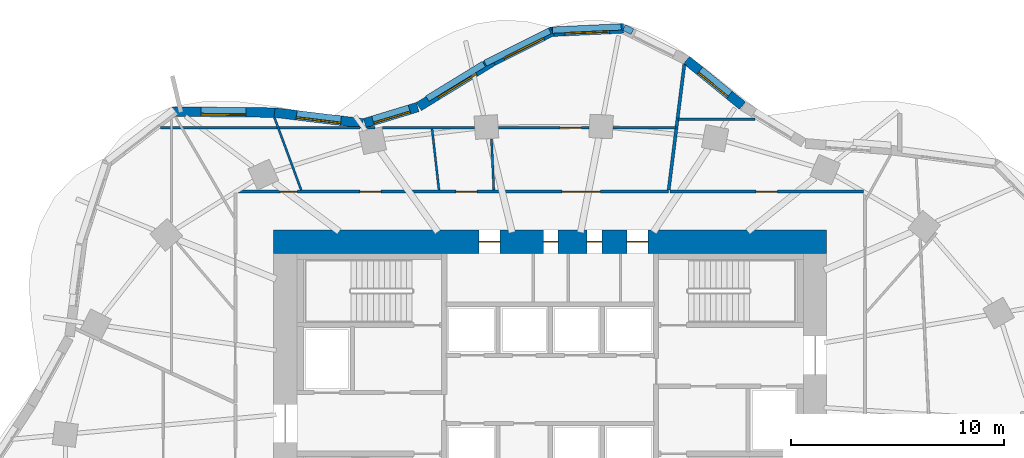
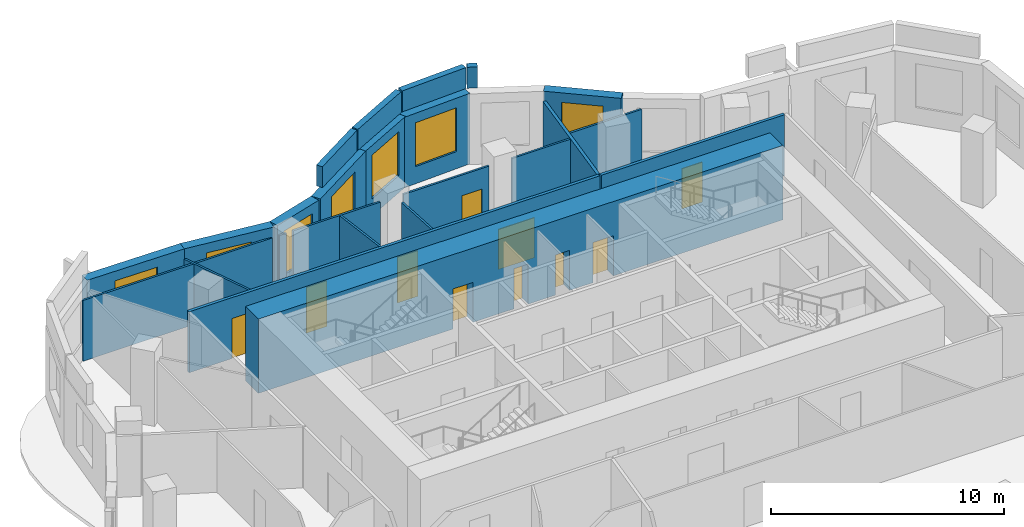
# One storey, part 7 of 9: 24 walls, 10 doors, 7 windows, 17 openings.
"""IFC4 building model written with IfcOpenShell, lengths in metres."""

import ifcopenshell
import ifcopenshell.guid

model = None  # the IFC model being written
_history = None  # IfcOwnerHistory: only IFC2X3 demands one
_inside = {}  # id of a spatial element -> (the spatial element, [elements in it])
_under = {}  # id of a project, library or spatial element -> (it, [spatial elements below it])
_declared = {}  # id of a project -> (the project, [libraries it declares])
_typed = {}  # id of a type object -> (the type object, [elements of that type])
_made_of = {}  # id of a material, layer set ... -> (it, [elements and type objects made of it])


def new_model(schema):
    """Start an empty IFC model of exactly this schema.

    Asked for "IFC4X3", IfcOpenShell would pick the latest addendum, in which some entities
    have other attributes; the version numbers below select the first issue.
    IFC2X3 requires an IfcOwnerHistory on every rooted entity: one is made here for all.
    """
    global model, _history
    if schema == "IFC4X3":
        model = ifcopenshell.file(schema_version=(4, 3, 0, 0))
    else:
        model = ifcopenshell.file(schema=schema)
    _inside.clear()
    _under.clear()
    _declared.clear()
    _typed.clear()
    _made_of.clear()
    _history = None
    if model.schema == "IFC2X3":
        org = make("IfcOrganization", Name="unknown")
        user = make(
            "IfcPersonAndOrganization",
            ThePerson=make("IfcPerson", FamilyName="unknown"),
            TheOrganization=org,
        )
        app = make(
            "IfcApplication",
            ApplicationDeveloper=org,
            Version="unknown",
            ApplicationFullName="unknown",
            ApplicationIdentifier="unknown",
        )
        _history = make(
            "IfcOwnerHistory",
            OwningUser=user,
            OwningApplication=app,
            ChangeAction="ADDED",
            CreationDate=0,
        )
    return model


def make(cls, **values):
    """One entity of the class cls with the attributes given. An attribute that is None is left unset."""
    return model.create_entity(
        cls, **{name: value for name, value in values.items() if value is not None}
    )


def rooted(cls, **values):
    """An entity with a GlobalId (a new one), such as an element, a storey or a relation."""
    return make(cls, GlobalId=ifcopenshell.guid.new(), OwnerHistory=_history, **values)


def si_unit(unit_type, name, prefix=None):
    """IfcSIUnit, for example si_unit("LENGTHUNIT", "METRE", prefix="MILLI")."""
    return make("IfcSIUnit", UnitType=unit_type, Prefix=prefix, Name=name)


def assignment(units):
    """IfcUnitAssignment: the units of a project."""
    return None if units is None else make("IfcUnitAssignment", Units=units)


def point(xyz):
    """IfcCartesianPoint."""
    return None if xyz is None else make("IfcCartesianPoint", Coordinates=xyz)


def direction(xyz):
    """IfcDirection."""
    return None if xyz is None else make("IfcDirection", DirectionRatios=xyz)


def frame(location, z_axis=None, x_axis=None):
    """IfcAxis2Placement3D, a coordinate frame: its origin and axes. An axis left out is left unset."""
    return make(
        "IfcAxis2Placement3D",
        Location=point(location),
        Axis=direction(z_axis),
        RefDirection=direction(x_axis),
    )


def frame_2d(location, x_axis=None):
    """IfcAxis2Placement2D, a coordinate frame in the plane: its origin and x axis."""
    return make(
        "IfcAxis2Placement2D", Location=point(location), RefDirection=direction(x_axis)
    )


def origin():
    """The frame at (0, 0, 0) with its axes left unset."""
    return frame((0.0, 0.0, 0.0))


def place(relative_to, where):
    """IfcLocalPlacement: puts the frame where relative to a parent placement (None: the world)."""
    return make(
        "IfcLocalPlacement", PlacementRelTo=relative_to, RelativePlacement=where
    )


def context(
    kind, dimensions, precision=None, world=None, true_north=None, identifier=None
):
    """IfcGeometricRepresentationContext, for example the 3D "Model" context."""
    return make(
        "IfcGeometricRepresentationContext",
        ContextIdentifier=identifier,
        ContextType=kind,
        CoordinateSpaceDimension=dimensions,
        Precision=precision,
        WorldCoordinateSystem=world,
        TrueNorth=true_north,
    )


def subcontext(parent, identifier, kind, view, scale=None):
    """IfcGeometricRepresentationSubContext, for example "Body" below "Model"."""
    return make(
        "IfcGeometricRepresentationSubContext",
        ContextIdentifier=identifier,
        ContextType=kind,
        ParentContext=parent,
        TargetScale=scale,
        TargetView=view,
    )


def project(units=None, contexts=None):
    """IfcProject with its units and contexts."""
    return rooted(
        "IfcProject",
        Name="project",
        RepresentationContexts=contexts,
        UnitsInContext=assignment(units),
    )


def spatial(cls, under=None, at=None, **own):
    """A site, building, storey or space (cls), placed at a placement, below another one or the project."""
    s = rooted(cls, ObjectPlacement=at, **own)
    if under is not None:
        _under.setdefault(under.id(), (under, []))[1].append(s)
    return s


def profile(cls, at=None, kind="AREA", **sizes):
    """A parametric profile (cls). Its sizes go by their IFC names, for example OverallWidth=200.0."""
    return make(cls, ProfileType=kind, Position=at, **sizes)


def rectangle(**sizes):
    """IfcRectangleProfileDef."""
    return profile("IfcRectangleProfileDef", **sizes)


def extrude(swept, where, along, depth):
    """IfcExtrudedAreaSolid: the profile swept, set in the frame where, extruded along a direction by depth."""
    return make(
        "IfcExtrudedAreaSolid",
        SweptArea=swept,
        Position=where,
        ExtrudedDirection=direction(along),
        Depth=depth,
    )


def shape(context_of_items, identifier, shape_type, items):
    """IfcShapeRepresentation: the items that make up one representation, for example the "Body"."""
    return make(
        "IfcShapeRepresentation",
        ContextOfItems=context_of_items,
        RepresentationIdentifier=identifier,
        RepresentationType=shape_type,
        Items=items,
    )


def material(Name=None, Category=None):
    """IfcMaterial."""
    return make("IfcMaterial", Name=Name, Category=Category)


def layer(
    of_material, thickness, ventilated=None, Name=None, Category=None, Priority=None
):
    """IfcMaterialLayer: one layer of a wall or slab, of a material (None: an air gap)."""
    return make(
        "IfcMaterialLayer",
        Material=of_material,
        LayerThickness=thickness,
        IsVentilated=ventilated,
        Name=Name,
        Category=Category,
        Priority=Priority,
    )


def layer_set(layers, Name=None):
    """IfcMaterialLayerSet."""
    return make("IfcMaterialLayerSet", MaterialLayers=layers, LayerSetName=Name)


def made_of(thing, what):
    """Note that an element or type object is made of a material, layer set ...; save() writes the relation."""
    if what is not None:
        _made_of.setdefault(what.id(), (what, []))[1].append(thing)
    return thing


def type_object(cls, material=None, **own):
    """A type object (cls), such as IfcWallType, which elements share."""
    return made_of(rooted(cls, **own), material)


def element(
    cls,
    number,
    at=None,
    inside=None,
    cuts=None,
    type_object=None,
    material=None,
    context=None,
    identifier="Body",
    shape_type=None,
    held_by="IfcProductDefinitionShape",
    body=None,
    shapes=None,
    **own,
):
    """One element of the class cls, such as IfcWall. Its Tag is "e" and its number.

    at: its placement. inside: the storey or other place that contains it. cuts: it is an
    opening in that element (IfcRelVoidsElement). A single representation is given by context,
    identifier, shape_type and body (its items); several are given by shapes. held_by: the class
    of the entity that holds the representations. save() writes the other relations.
    """
    e = rooted(cls, Tag="e%d" % number, ObjectPlacement=at, **own)
    if body is not None:
        shapes = [shape(context, identifier, shape_type, body)]
    if shapes is not None:
        e.Representation = make(held_by, Representations=shapes)
    if inside is not None:
        _inside.setdefault(inside.id(), (inside, []))[1].append(e)
    if cuts is not None:
        rooted(
            "IfcRelVoidsElement", RelatingBuildingElement=cuts, RelatedOpeningElement=e
        )
    if type_object is not None:
        _typed.setdefault(type_object.id(), (type_object, []))[1].append(e)
    return made_of(e, material)


def fill(opening, filler):
    """IfcRelFillsElement: the door or window that sits in an opening."""
    return rooted(
        "IfcRelFillsElement",
        RelatingOpeningElement=opening,
        RelatedBuildingElement=filler,
    )


def aggregate(whole, parts):
    """IfcRelAggregates: a whole, such as a stair, and the parts it consists of."""
    return rooted("IfcRelAggregates", RelatingObject=whole, RelatedObjects=parts)


def save(model, path):
    """Write the relations noted so far, then the file.

    IfcRelAggregates (storeys below a building ...), IfcRelContainedInSpatialStructure (elements
    in a storey), IfcRelDefinesByType, IfcRelAssociatesMaterial and IfcRelDeclares: one each for
    every whole, place, type object, material and project.
    """
    for whole, parts in _under.values():
        aggregate(whole, parts)
    for where, things in _inside.values():
        rooted(
            "IfcRelContainedInSpatialStructure",
            RelatedElements=things,
            RelatingStructure=where,
        )
    for kind, things in _typed.values():
        rooted("IfcRelDefinesByType", RelatedObjects=things, RelatingType=kind)
    for what, things in _made_of.values():
        rooted("IfcRelAssociatesMaterial", RelatedObjects=things, RelatingMaterial=what)
    for by, libraries in _declared.values():
        rooted("IfcRelDeclares", RelatingContext=by, RelatedDefinitions=libraries)
    model.write(path)


model = new_model("IFC4")

# Units and contexts
model_context = context("Model", 3, precision=1e-05, world=origin(), true_north=direction((0.0, 1.0)))
body_context = subcontext(model_context, "Body", "Model", "MODEL_VIEW")
ifc_project = project(units=[si_unit("LENGTHUNIT", "METRE"), si_unit("AREAUNIT", "SQUARE_METRE"), si_unit("VOLUMEUNIT", "CUBIC_METRE"), si_unit("PLANEANGLEUNIT", "RADIAN"), si_unit("MASSUNIT", "GRAM", prefix="KILO")], contexts=[model_context])

# Site, building, storey
site_placement = place(None, origin())
site = spatial("IfcSite", under=ifc_project, at=site_placement, CompositionType="ELEMENT")
building_placement = place(site_placement, origin())
building = spatial("IfcBuilding", under=site, at=building_placement, Name="Rubra Terraces Tower", CompositionType="ELEMENT")
storey_placement = place(building_placement, frame((0.0, 0.0, 130.5)))
storey = spatial("IfcBuildingStorey", under=building, at=storey_placement, Name="L31", CompositionType="ELEMENT", Elevation=130.5)

# Wall, opening, window
ifc_material_1 = material(Name="Brick masonry red-brown", Category="masonry")
ifc_layer_1 = layer(ifc_material_1, 0.449951171875)
ifc_layer_set_1 = layer_set([ifc_layer_1], Name="Brick masonry red-brown")
wall_type_1 = type_object("IfcWallType", Name="Brick facade wall 450", PredefinedType="SOLIDWALL", material=ifc_layer_set_1)
wall_1_placement = place(storey_placement, frame((9.037109375, 17.84033203125, 0.0), z_axis=(0.0, 0.0, 1.0), x_axis=(-0.774810240287, 0.632193871804, 0.0)))
wall_1 = element("IfcWall", 1, at=wall_1_placement, inside=storey, type_object=wall_type_1, Name="Facade wall L31 bay 8", PredefinedType="SOLIDWALL", context=body_context, shape_type="SweptSolid", body=[
    extrude(rectangle(XDim=3.389404296875, YDim=0.449951171875, at=frame_2d((1.69482421875, 0.0))), origin(), (0.0, 0.0, 1.0), 3.699951171875),
])
opening_1_placement = place(wall_1_placement, frame((0.794677734375, 0.0, 0.89990234375)))
opening_1 = element("IfcOpeningElement", 2, at=opening_1_placement, cuts=wall_1, Name="Opening W6B", PredefinedType="OPENING", context=body_context, shape_type="SweptSolid", body=[
    extrude(rectangle(XDim=1.800048828125, YDim=2.300048828125, at=frame_2d((0.89990234375, 1.14990234375))), frame((0.0, 0.23486328125, 0.0), z_axis=(0.0, -1.0, 0.0), x_axis=(1.0, 0.0, 0.0)), (0.0, 0.0, 1.0), 0.469970703125),
])
ifc_material_2 = material(Name="Clear glass in aluminium frame", Category="aluminium")
window_type_1 = type_object("IfcWindowType", Name="Fixed deep-set window at wind fin tall storey 1800 x 2300", PartitioningType="SINGLE_PANEL", PredefinedType="WINDOW", material=ifc_material_2)
window_1_placement = place(opening_1_placement, origin())
window_1 = element("IfcWindow", 3, at=window_1_placement, inside=storey, type_object=window_type_1, Name="Window L31 bay 8", OverallHeight=2.300048828125, OverallWidth=1.800048828125, PartitioningType="SINGLE_PANEL", PredefinedType="WINDOW", context=body_context, shape_type="SweptSolid", body=[
    extrude(rectangle(XDim=1.800048828125, YDim=2.300048828125, at=frame_2d((0.89990234375, 1.14990234375))), frame((0.0, 0.135009765625, 0.0), z_axis=(0.0, -1.0, 0.0), x_axis=(1.0, 0.0, 0.0)), (0.0, 0.0, 1.0), 0.06005859375),
])
fill(opening_1, window_1)

wall_2_placement = place(storey_placement, frame((3.447509765625, 21.47314453125, 0.0), z_axis=(0.0, 0.0, 1.0), x_axis=(-0.998906179907, -0.046759424106, 0.0)))
wall_2 = element("IfcWall", 4, at=wall_2_placement, inside=storey, type_object=wall_type_1, Name="Facade wall L31 bay 10", PredefinedType="SOLIDWALL", context=body_context, shape_type="SweptSolid", body=[
    extrude(rectangle(XDim=3.440673828125, YDim=0.449951171875, at=frame_2d((1.72021484375, 0.0))), origin(), (0.0, 0.0, 1.0), 3.699951171875),
])
opening_2_placement = place(wall_2_placement, frame((0.67041015625, 0.0, 0.89990234375)))
opening_2 = element("IfcOpeningElement", 5, at=opening_2_placement, cuts=wall_2, Name="Opening W1B", PredefinedType="OPENING", context=body_context, shape_type="SweptSolid", body=[
    extrude(rectangle(XDim=2.10009765625, YDim=2.300048828125, at=frame_2d((1.050048828125, 1.14990234375))), frame((0.0, 0.23486328125, 0.0), z_axis=(0.0, -1.0, 0.0), x_axis=(1.0, 0.0, 0.0)), (0.0, 0.0, 1.0), 0.469970703125),
])
window_type_2 = type_object("IfcWindowType", Name="Fixed deep-set window tall storey 2100 x 2300", PartitioningType="SINGLE_PANEL", PredefinedType="WINDOW", material=ifc_material_2)
window_2_placement = place(opening_2_placement, origin())
window_2 = element("IfcWindow", 6, at=window_2_placement, inside=storey, type_object=window_type_2, Name="Window L31 bay 10", OverallHeight=2.300048828125, OverallWidth=2.10009765625, PartitioningType="SINGLE_PANEL", PredefinedType="WINDOW", context=body_context, shape_type="SweptSolid", body=[
    extrude(rectangle(XDim=2.10009765625, YDim=2.300048828125, at=frame_2d((1.050048828125, 1.14990234375))), frame((0.0, 0.135009765625, 0.0), z_axis=(0.0, -1.0, 0.0), x_axis=(1.0, 0.0, 0.0)), (0.0, 0.0, 1.0), 0.06005859375),
])
fill(opening_2, window_2)

wall_3_placement = place(storey_placement, frame((0.10107421875, 21.3359375, 0.0), z_axis=(0.0, 0.0, 1.0), x_axis=(-0.893517109669, -0.449029146859, 0.0)))
wall_3 = element("IfcWall", 7, at=wall_3_placement, inside=storey, type_object=wall_type_1, Name="Facade wall L31 bay 11", PredefinedType="SOLIDWALL", context=body_context, shape_type="SweptSolid", body=[
    extrude(rectangle(XDim=3.1181640625, YDim=0.449951171875, at=frame_2d((1.55908203125, 0.0))), origin(), (0.0, 0.0, 1.0), 3.699951171875),
])
opening_3_placement = place(wall_3_placement, frame((0.509033203125, 0.0, 0.89990234375)))
opening_3 = element("IfcOpeningElement", 8, at=opening_3_placement, cuts=wall_3, Name="Opening W1B", PredefinedType="OPENING", context=body_context, shape_type="SweptSolid", body=[
    extrude(rectangle(XDim=2.10009765625, YDim=2.300048828125, at=frame_2d((1.050048828125, 1.14990234375))), frame((0.0, 0.23486328125, 0.0), z_axis=(0.0, -1.0, 0.0), x_axis=(1.0, 0.0, 0.0)), (0.0, 0.0, 1.0), 0.469970703125),
])
window_3_placement = place(opening_3_placement, origin())
window_3 = element("IfcWindow", 9, at=window_3_placement, inside=storey, type_object=window_type_2, Name="Window L31 bay 11", OverallHeight=2.300048828125, OverallWidth=2.10009765625, PartitioningType="SINGLE_PANEL", PredefinedType="WINDOW", context=body_context, shape_type="SweptSolid", body=[
    extrude(rectangle(XDim=2.10009765625, YDim=2.300048828125, at=frame_2d((1.050048828125, 1.14990234375))), frame((0.0, 0.135009765625, 0.0), z_axis=(0.0, -1.0, 0.0), x_axis=(1.0, 0.0, 0.0)), (0.0, 0.0, 1.0), 0.06005859375),
])
fill(opening_3, window_3)

wall_4_placement = place(storey_placement, frame((-2.668701171875, 19.945068359375, 0.0), z_axis=(0.0, 0.0, 1.0), x_axis=(-0.852919259017, -0.522042850346, 0.0)))
wall_4 = element("IfcWall", 10, at=wall_4_placement, inside=storey, type_object=wall_type_1, Name="Facade wall L31 bay 12", PredefinedType="SOLIDWALL", context=body_context, shape_type="SweptSolid", body=[
    extrude(rectangle(XDim=4.113525390625, YDim=0.449951171875, at=frame_2d((2.056640625, 0.0))), origin(), (0.0, 0.0, 1.0), 3.699951171875),
])
opening_4_placement = place(wall_4_placement, frame((1.0068359375, 0.0, 0.89990234375)))
opening_4 = element("IfcOpeningElement", 11, at=opening_4_placement, cuts=wall_4, Name="Opening W1B", PredefinedType="OPENING", context=body_context, shape_type="SweptSolid", body=[
    extrude(rectangle(XDim=2.10009765625, YDim=2.300048828125, at=frame_2d((1.050048828125, 1.14990234375))), frame((0.0, 0.23486328125, 0.0), z_axis=(0.0, -1.0, 0.0), x_axis=(1.0, 0.0, 0.0)), (0.0, 0.0, 1.0), 0.469970703125),
])
window_4_placement = place(opening_4_placement, origin())
window_4 = element("IfcWindow", 12, at=window_4_placement, inside=storey, type_object=window_type_2, Name="Window L31 bay 12", OverallHeight=2.300048828125, OverallWidth=2.10009765625, PartitioningType="SINGLE_PANEL", PredefinedType="WINDOW", context=body_context, shape_type="SweptSolid", body=[
    extrude(rectangle(XDim=2.10009765625, YDim=2.300048828125, at=frame_2d((1.050048828125, 1.14990234375))), frame((0.0, 0.135009765625, 0.0), z_axis=(0.0, -1.0, 0.0), x_axis=(1.0, 0.0, 0.0)), (0.0, 0.0, 1.0), 0.06005859375),
])
fill(opening_4, window_4)

wall_5_placement = place(storey_placement, frame((-6.229248046875, 17.774169921875, 0.0), z_axis=(0.0, 0.0, 1.0), x_axis=(-0.95663749396, -0.291281144515, 0.0)))
wall_5 = element("IfcWall", 13, at=wall_5_placement, inside=storey, type_object=wall_type_1, Name="Facade wall L31 bay 13", PredefinedType="SOLIDWALL", context=body_context, shape_type="SweptSolid", body=[
    extrude(rectangle(XDim=2.600830078125, YDim=0.449951171875, at=frame_2d((1.30029296875, 0.0))), origin(), (0.0, 0.0, 1.0), 3.699951171875),
])
opening_5_placement = place(wall_5_placement, frame((0.400390625, 0.0, 0.89990234375)))
opening_5 = element("IfcOpeningElement", 14, at=opening_5_placement, cuts=wall_5, Name="Opening W6B", PredefinedType="OPENING", context=body_context, shape_type="SweptSolid", body=[
    extrude(rectangle(XDim=1.800048828125, YDim=2.300048828125, at=frame_2d((0.89990234375, 1.14990234375))), frame((0.0, 0.23486328125, 0.0), z_axis=(0.0, -1.0, 0.0), x_axis=(1.0, 0.0, 0.0)), (0.0, 0.0, 1.0), 0.469970703125),
])
window_5_placement = place(opening_5_placement, origin())
window_5 = element("IfcWindow", 15, at=window_5_placement, inside=storey, type_object=window_type_1, Name="Window L31 bay 13", OverallHeight=2.300048828125, OverallWidth=1.800048828125, PartitioningType="SINGLE_PANEL", PredefinedType="WINDOW", context=body_context, shape_type="SweptSolid", body=[
    extrude(rectangle(XDim=1.800048828125, YDim=2.300048828125, at=frame_2d((0.89990234375, 1.14990234375))), frame((0.0, 0.135009765625, 0.0), z_axis=(0.0, -1.0, 0.0), x_axis=(1.0, 0.0, 0.0)), (0.0, 0.0, 1.0), 0.06005859375),
])
fill(opening_5, window_5)

wall_6_placement = place(storey_placement, frame((-8.806884765625, 17.00830078125, 0.0), z_axis=(0.0, 0.0, 1.0), x_axis=(-0.992654419289, 0.120984312483, 0.0)))
wall_6 = element("IfcWall", 16, at=wall_6_placement, inside=storey, type_object=wall_type_1, Name="Facade wall L31 bay 14", PredefinedType="SOLIDWALL", context=body_context, shape_type="SweptSolid", body=[
    extrude(rectangle(XDim=4.187255859375, YDim=0.449951171875, at=frame_2d((2.09375, 0.0))), origin(), (0.0, 0.0, 1.0), 3.699951171875),
])
opening_6_placement = place(wall_6_placement, frame((1.043701171875, 0.0, 0.89990234375)))
opening_6 = element("IfcOpeningElement", 17, at=opening_6_placement, cuts=wall_6, Name="Opening W1B", PredefinedType="OPENING", context=body_context, shape_type="SweptSolid", body=[
    extrude(rectangle(XDim=2.10009765625, YDim=2.300048828125, at=frame_2d((1.050048828125, 1.14990234375))), frame((0.0, 0.23486328125, 0.0), z_axis=(0.0, -1.0, 0.0), x_axis=(1.0, 0.0, 0.0)), (0.0, 0.0, 1.0), 0.469970703125),
])
window_6_placement = place(opening_6_placement, origin())
window_6 = element("IfcWindow", 18, at=window_6_placement, inside=storey, type_object=window_type_2, Name="Window L31 bay 14", OverallHeight=2.300048828125, OverallWidth=2.10009765625, PartitioningType="SINGLE_PANEL", PredefinedType="WINDOW", context=body_context, shape_type="SweptSolid", body=[
    extrude(rectangle(XDim=2.10009765625, YDim=2.300048828125, at=frame_2d((1.050048828125, 1.14990234375))), frame((0.0, 0.135009765625, 0.0), z_axis=(0.0, -1.0, 0.0), x_axis=(1.0, 0.0, 0.0)), (0.0, 0.0, 1.0), 0.06005859375),
])
fill(opening_6, window_6)

wall_7_placement = place(storey_placement, frame((-12.93896484375, 17.513671875, 0.0), z_axis=(0.0, 0.0, 1.0), x_axis=(-0.999950280333, 0.00997180335, 0.0)))
wall_7 = element("IfcWall", 19, at=wall_7_placement, inside=storey, type_object=wall_type_1, Name="Facade wall L31 bay 15", PredefinedType="SOLIDWALL", context=body_context, shape_type="SweptSolid", body=[
    extrude(rectangle(XDim=4.84765625, YDim=0.449951171875, at=frame_2d((2.423828125, 0.0))), origin(), (0.0, 0.0, 1.0), 3.699951171875),
])
opening_7_placement = place(wall_7_placement, frame((1.373779296875, 0.0, 0.89990234375)))
opening_7 = element("IfcOpeningElement", 20, at=opening_7_placement, cuts=wall_7, Name="Opening W1B", PredefinedType="OPENING", context=body_context, shape_type="SweptSolid", body=[
    extrude(rectangle(XDim=2.10009765625, YDim=2.300048828125, at=frame_2d((1.050048828125, 1.14990234375))), frame((0.0, 0.23486328125, 0.0), z_axis=(0.0, -1.0, 0.0), x_axis=(1.0, 0.0, 0.0)), (0.0, 0.0, 1.0), 0.469970703125),
])
window_7_placement = place(opening_7_placement, origin())
window_7 = element("IfcWindow", 21, at=window_7_placement, inside=storey, type_object=window_type_2, Name="Window L31 bay 15", OverallHeight=2.300048828125, OverallWidth=2.10009765625, PartitioningType="SINGLE_PANEL", PredefinedType="WINDOW", context=body_context, shape_type="SweptSolid", body=[
    extrude(rectangle(XDim=2.10009765625, YDim=2.300048828125, at=frame_2d((1.050048828125, 1.14990234375))), frame((0.0, 0.135009765625, 0.0), z_axis=(0.0, -1.0, 0.0), x_axis=(1.0, 0.0, 0.0)), (0.0, 0.0, 1.0), 0.06005859375),
])
fill(opening_7, window_7)

# Walls
ifc_layer_2 = layer(ifc_material_1, 0.300048828125)
ifc_layer_set_2 = layer_set([ifc_layer_2], Name="Brick masonry red-brown")
wall_type_2 = type_object("IfcWallType", Name="Brick parapet 300", PredefinedType="PARAPET", material=ifc_layer_set_2)
wall_8_placement = place(storey_placement, frame((3.864501953125, 21.319580078125, 3.89990234375), z_axis=(0.0, 0.0, 1.0), x_axis=(-0.896619334778, 0.442802177617, 0.0)))
element("IfcWall", 22, at=wall_8_placement, inside=storey, type_object=wall_type_2, Name="Parapet L31 bay 9", PredefinedType="PARAPET", context=body_context, shape_type="SweptSolid", body=[
    extrude(rectangle(XDim=0.443359375, YDim=0.300048828125, at=frame_2d((0.2216796875, 0.0))), origin(), (0.0, 0.0, 1.0), 1.10009765625),
])
wall_9_placement = place(storey_placement, frame((3.336669921875, 21.543212890625, 3.89990234375), z_axis=(0.0, 0.0, 1.0), x_axis=(-0.998904330634, -0.046798912812, 0.0)))
element("IfcWall", 23, at=wall_9_placement, inside=storey, type_object=wall_type_2, Name="Parapet L31 bay 10", PredefinedType="PARAPET", context=body_context, shape_type="SweptSolid", body=[
    extrude(rectangle(XDim=3.23974609375, YDim=0.300048828125, at=frame_2d((1.619873046875, 0.0))), origin(), (0.0, 0.0, 1.0), 1.10009765625),
])
wall_10_placement = place(storey_placement, frame((-0.016357421875, 21.36083984375, 3.89990234375), z_axis=(0.0, 0.0, 1.0), x_axis=(-0.893520711687, -0.44902197918, 0.0)))
element("IfcWall", 24, at=wall_10_placement, inside=storey, type_object=wall_type_2, Name="Parapet L31 bay 11", PredefinedType="PARAPET", context=body_context, shape_type="SweptSolid", body=[
    extrude(rectangle(XDim=3.400390625, YDim=0.300048828125, at=frame_2d((1.7001953125, 0.0))), origin(), (0.0, 0.0, 1.0), 1.10009765625),
])
wall_11_placement = place(storey_placement, frame((-3.117919921875, 19.798828125, 3.89990234375), z_axis=(0.0, 0.0, 1.0), x_axis=(-0.852922319554, -0.522037849975, 0.0)))
element("IfcWall", 25, at=wall_11_placement, inside=storey, type_object=wall_type_2, Name="Parapet L31 bay 12", PredefinedType="PARAPET", context=body_context, shape_type="SweptSolid", body=[
    extrude(rectangle(XDim=3.1240234375, YDim=0.300048828125, at=frame_2d((1.56201171875, 0.0))), origin(), (0.0, 0.0, 1.0), 1.10009765625),
])

# Wall, openings, doors
ifc_material_3 = material(Name="Concrete C60", Category="concrete")
ifc_layer_3 = layer(ifc_material_3, 1.10009765625)
ifc_layer_set_3 = layer_set([ifc_layer_3], Name="Concrete C60")
wall_type_3 = type_object("IfcWallType", Name="CORE WALL 1100 C60", PredefinedType="SHEAR", material=ifc_layer_set_3)
wall_12_placement = place(storey_placement, frame((-13.0, 11.449951171875, 0.0), z_axis=(0.0, 0.0, 1.0), x_axis=(1.0, 0.0, 0.0)))
wall_12 = element("IfcWall", 26, at=wall_12_placement, inside=storey, type_object=wall_type_3, Name="CORE WALL N L31", PredefinedType="SHEAR", context=body_context, shape_type="SweptSolid", body=[
    extrude(rectangle(XDim=26.0, YDim=1.10009765625, at=frame_2d((13.0, 0.0))), origin(), (0.0, 0.0, 1.0), 3.89990234375),
])
opening_8_placement = place(wall_12_placement, frame((9.64990234375, 0.0, 0.0)))
opening_8 = element("IfcOpeningElement", 27, at=opening_8_placement, cuts=wall_12, Name="Opening L31.C23", PredefinedType="OPENING", context=body_context, shape_type="SweptSolid", body=[
    extrude(rectangle(XDim=1.0, YDim=2.10009765625, at=frame_2d((0.5, 1.050048828125))), frame((0.0, 0.56005859375, 0.0), z_axis=(0.0, -1.0, 0.0), x_axis=(1.0, 0.0, 0.0)), (0.0, 0.0, 1.0), 1.1201171875),
])
opening_9_placement = place(wall_12_placement, frame((12.675048828125, 0.0, 0.0)))
opening_9 = element("IfcOpeningElement", 28, at=opening_9_placement, cuts=wall_12, Name="Opening L31.C24", PredefinedType="OPENING", context=body_context, shape_type="SweptSolid", body=[
    extrude(rectangle(XDim=0.699951171875, YDim=2.10009765625, at=frame_2d((0.35009765625, 1.050048828125))), frame((0.0, 0.56005859375, 0.0), z_axis=(0.0, -1.0, 0.0), x_axis=(1.0, 0.0, 0.0)), (0.0, 0.0, 1.0), 1.1201171875),
])
opening_10_placement = place(wall_12_placement, frame((14.72509765625, 0.0, 0.0)))
opening_10 = element("IfcOpeningElement", 29, at=opening_10_placement, cuts=wall_12, Name="Opening L31.C25", PredefinedType="OPENING", context=body_context, shape_type="SweptSolid", body=[
    extrude(rectangle(XDim=0.699951171875, YDim=2.10009765625, at=frame_2d((0.35009765625, 1.050048828125))), frame((0.0, 0.56005859375, 0.0), z_axis=(0.0, -1.0, 0.0), x_axis=(1.0, 0.0, 0.0)), (0.0, 0.0, 1.0), 1.1201171875),
])
opening_11_placement = place(wall_12_placement, frame((16.60009765625, 0.0, 0.0)))
opening_11 = element("IfcOpeningElement", 30, at=opening_11_placement, cuts=wall_12, Name="Opening L31.C26", PredefinedType="OPENING", context=body_context, shape_type="SweptSolid", body=[
    extrude(rectangle(XDim=1.0, YDim=2.10009765625, at=frame_2d((0.5, 1.050048828125))), frame((0.0, 0.56005859375, 0.0), z_axis=(0.0, -1.0, 0.0), x_axis=(1.0, 0.0, 0.0)), (0.0, 0.0, 1.0), 1.1201171875),
])
ifc_material_4 = material(Name="Painted steel", Category="steel")
door_type_1 = type_object("IfcDoorType", Name="Fire door 1000x2100 single", OperationType="NOTDEFINED", PredefinedType="DOOR", material=ifc_material_4)
door_1_placement = place(opening_8_placement, origin())
door_1 = element("IfcDoor", 31, at=door_1_placement, inside=storey, type_object=door_type_1, Name="Tea point door", OperationType="SINGLE_SWING_LEFT", OverallHeight=2.10009765625, OverallWidth=1.0, PredefinedType="DOOR", context=body_context, shape_type="SweptSolid", body=[
    extrude(rectangle(XDim=1.0, YDim=2.10009765625, at=frame_2d((0.5, 1.050048828125))), frame((0.0, 0.02490234375, 0.0), z_axis=(0.0, -1.0, 0.0), x_axis=(1.0, 0.0, 0.0)), (0.0, 0.0, 1.0), 0.050048828125),
])
fill(opening_8, door_1)
door_2_placement = place(opening_11_placement, origin())
door_2 = element("IfcDoor", 32, at=door_2_placement, inside=storey, type_object=door_type_1, Name="General store door", OperationType="SINGLE_SWING_RIGHT", OverallHeight=2.10009765625, OverallWidth=1.0, PredefinedType="DOOR", context=body_context, shape_type="SweptSolid", body=[
    extrude(rectangle(XDim=1.0, YDim=2.10009765625, at=frame_2d((0.5, 1.050048828125))), frame((0.0, 0.02490234375, 0.0), z_axis=(0.0, -1.0, 0.0), x_axis=(1.0, 0.0, 0.0)), (0.0, 0.0, 1.0), 0.050048828125),
])
fill(opening_11, door_2)
door_type_2 = type_object("IfcDoorType", Name="Riser access door 700x2100 single", OperationType="NOTDEFINED", PredefinedType="DOOR", material=ifc_material_4)
door_3_placement = place(opening_9_placement, origin())
door_3 = element("IfcDoor", 33, at=door_3_placement, inside=storey, type_object=door_type_2, Name="Electrical riser room door", OperationType="SINGLE_SWING_RIGHT", OverallHeight=2.10009765625, OverallWidth=0.699951171875, PredefinedType="DOOR", context=body_context, shape_type="SweptSolid", body=[
    extrude(rectangle(XDim=0.699951171875, YDim=2.10009765625, at=frame_2d((0.35009765625, 1.050048828125))), frame((0.0, 0.02490234375, 0.0), z_axis=(0.0, -1.0, 0.0), x_axis=(1.0, 0.0, 0.0)), (0.0, 0.0, 1.0), 0.050048828125),
])
fill(opening_9, door_3)
door_4_placement = place(opening_10_placement, origin())
door_4 = element("IfcDoor", 34, at=door_4_placement, inside=storey, type_object=door_type_2, Name="Telecoms room door", OperationType="SINGLE_SWING_LEFT", OverallHeight=2.10009765625, OverallWidth=0.699951171875, PredefinedType="DOOR", context=body_context, shape_type="SweptSolid", body=[
    extrude(rectangle(XDim=0.699951171875, YDim=2.10009765625, at=frame_2d((0.35009765625, 1.050048828125))), frame((0.0, 0.02490234375, 0.0), z_axis=(0.0, -1.0, 0.0), x_axis=(1.0, 0.0, 0.0)), (0.0, 0.0, 1.0), 0.050048828125),
])
fill(opening_10, door_4)

ifc_material_5 = material(Name="Plasterboard on steel stud, mineral wool infill", Category="steel")
ifc_layer_4 = layer(ifc_material_5, 0.14990234375)
ifc_layer_set_4 = layer_set([ifc_layer_4], Name="Plasterboard on steel stud, mineral wool infill")
wall_type_4 = type_object("IfcWallType", Name="CORRIDOR PARTITION 150", PredefinedType="PARTITIONING", material=ifc_layer_set_4)
wall_13_placement = place(storey_placement, frame((5.559326171875, 13.800048828125, 0.0), z_axis=(0.0, 0.0, 1.0), x_axis=(-1.0, 0.0, 0.0)))
wall_13 = element("IfcWall", 35, at=wall_13_placement, inside=storey, type_object=wall_type_4, Name="PARTITION", PredefinedType="PARTITIONING", context=body_context, shape_type="SweptSolid", body=[
    extrude(rectangle(XDim=20.359375, YDim=0.14990234375, at=frame_2d((10.1796875, 0.0))), origin(), (0.0, 0.0, 1.0), 3.197998046875),
])
opening_12_placement = place(wall_13_placement, frame((3.2041015625, 0.0, 0.0)))
opening_12 = element("IfcOpeningElement", 36, at=opening_12_placement, cuts=wall_13, Name="Opening 31-101", PredefinedType="OPENING", context=body_context, shape_type="SweptSolid", body=[
    extrude(rectangle(XDim=1.800048828125, YDim=2.10009765625, at=frame_2d((0.89990234375, 1.050048828125))), frame((0.0, 0.0849609375, 0.0), z_axis=(0.0, -1.0, 0.0), x_axis=(1.0, 0.0, 0.0)), (0.0, 0.0, 1.0), 0.169921875),
])
opening_13_placement = place(wall_13_placement, frame((8.9951171875, 0.0, 0.0)))
opening_13 = element("IfcOpeningElement", 37, at=opening_13_placement, cuts=wall_13, Name="Opening 31-103", PredefinedType="OPENING", context=body_context, shape_type="SweptSolid", body=[
    extrude(rectangle(XDim=1.0, YDim=2.39990234375, at=frame_2d((0.5, 1.199951171875))), frame((0.0, 0.0849609375, 0.0), z_axis=(0.0, -1.0, 0.0), x_axis=(1.0, 0.0, 0.0)), (0.0, 0.0, 1.0), 0.169921875),
])
opening_14_placement = place(wall_13_placement, frame((13.510986328125, 0.0, 0.0)))
opening_14 = element("IfcOpeningElement", 38, at=opening_14_placement, cuts=wall_13, Name="Opening 31-104", PredefinedType="OPENING", context=body_context, shape_type="SweptSolid", body=[
    extrude(rectangle(XDim=1.0, YDim=2.39990234375, at=frame_2d((0.5, 1.199951171875))), frame((0.0, 0.0849609375, 0.0), z_axis=(0.0, -1.0, 0.0), x_axis=(1.0, 0.0, 0.0)), (0.0, 0.0, 1.0), 0.169921875),
])
opening_15_placement = place(wall_13_placement, frame((17.449951171875, 0.0, 0.0)))
opening_15 = element("IfcOpeningElement", 39, at=opening_15_placement, cuts=wall_13, Name="Opening 31-117", PredefinedType="OPENING", context=body_context, shape_type="SweptSolid", body=[
    extrude(rectangle(XDim=0.800048828125, YDim=2.10009765625, at=frame_2d((0.39990234375, 1.050048828125))), frame((0.0, 0.0849609375, 0.0), z_axis=(0.0, -1.0, 0.0), x_axis=(1.0, 0.0, 0.0)), (0.0, 0.0, 1.0), 0.169921875),
])
ifc_material_6 = material(Name="Painted timber door leaf", Category="wood")
door_type_3 = type_object("IfcDoorType", Name="BATHROOM DOOR 800 X 2100", OperationType="SINGLE_SWING_LEFT", PredefinedType="DOOR", material=ifc_material_6)
door_5_placement = place(opening_15_placement, origin())
door_5 = element("IfcDoor", 40, at=door_5_placement, inside=storey, type_object=door_type_3, Name="DOOR 31-117", OperationType="SINGLE_SWING_RIGHT", OverallHeight=2.10009765625, OverallWidth=0.800048828125, PredefinedType="DOOR", context=body_context, shape_type="SweptSolid", body=[
    extrude(rectangle(XDim=0.800048828125, YDim=2.10009765625, at=frame_2d((0.39990234375, 1.050048828125))), frame((0.0, 0.02490234375, 0.0), z_axis=(0.0, -1.0, 0.0), x_axis=(1.0, 0.0, 0.0)), (0.0, 0.0, 1.0), 0.050048828125),
])
fill(opening_15, door_5)
ifc_material_7 = material(Name="Glazed aluminium meeting door leaf", Category="aluminium")
door_type_4 = type_object("IfcDoorType", Name="MEETING ROOM GLAZED DOOR 1000 X 2400", OperationType="SINGLE_SWING_LEFT", PredefinedType="DOOR", material=ifc_material_7)
door_6_placement = place(opening_13_placement, origin())
door_6 = element("IfcDoor", 41, at=door_6_placement, inside=storey, type_object=door_type_4, Name="DOOR 31-103", OperationType="SINGLE_SWING_RIGHT", OverallHeight=2.39990234375, OverallWidth=1.0, PredefinedType="DOOR", context=body_context, shape_type="SweptSolid", body=[
    extrude(rectangle(XDim=1.0, YDim=2.39990234375, at=frame_2d((0.5, 1.199951171875))), frame((0.0, 0.02490234375, 0.0), z_axis=(0.0, -1.0, 0.0), x_axis=(1.0, 0.0, 0.0)), (0.0, 0.0, 1.0), 0.050048828125),
])
fill(opening_13, door_6)
door_7_placement = place(opening_14_placement, origin())
door_7 = element("IfcDoor", 42, at=door_7_placement, inside=storey, type_object=door_type_4, Name="DOOR 31-104", OperationType="SINGLE_SWING_RIGHT", OverallHeight=2.39990234375, OverallWidth=1.0, PredefinedType="DOOR", context=body_context, shape_type="SweptSolid", body=[
    extrude(rectangle(XDim=1.0, YDim=2.39990234375, at=frame_2d((0.5, 1.199951171875))), frame((0.0, 0.02490234375, 0.0), z_axis=(0.0, -1.0, 0.0), x_axis=(1.0, 0.0, 0.0)), (0.0, 0.0, 1.0), 0.050048828125),
])
fill(opening_14, door_7)
ifc_material_8 = material(Name="Painted timber door leaf, double", Category="wood")
door_type_5 = type_object("IfcDoorType", Name="ROOM DOUBLE DOOR 1800 X 2100", OperationType="DOUBLE_DOOR_SINGLE_SWING", PredefinedType="DOOR", material=ifc_material_8)
door_8_placement = place(opening_12_placement, origin())
door_8 = element("IfcDoor", 43, at=door_8_placement, inside=storey, type_object=door_type_5, Name="DOOR 31-101", OperationType="DOUBLE_DOOR_SINGLE_SWING", OverallHeight=2.10009765625, OverallWidth=1.800048828125, PredefinedType="DOOR", context=body_context, shape_type="SweptSolid", body=[
    extrude(rectangle(XDim=1.800048828125, YDim=2.10009765625, at=frame_2d((0.89990234375, 1.050048828125))), frame((0.0, 0.02490234375, 0.0), z_axis=(0.0, -1.0, 0.0), x_axis=(1.0, 0.0, 0.0)), (0.0, 0.0, 1.0), 0.050048828125),
])
fill(opening_12, door_8)

# Wall, opening, door
wall_14_placement = place(storey_placement, frame((14.72509765625, 13.800048828125, 0.0), z_axis=(0.0, 0.0, 1.0), x_axis=(-1.0, 0.0, 0.0)))
wall_14 = element("IfcWall", 44, at=wall_14_placement, inside=storey, type_object=wall_type_4, Name="PARTITION", PredefinedType="PARTITIONING", context=body_context, shape_type="SweptSolid", body=[
    extrude(rectangle(XDim=9.0908203125, YDim=0.14990234375, at=frame_2d((4.54541015625, 0.0))), origin(), (0.0, 0.0, 1.0), 3.197998046875),
])
opening_16_placement = place(wall_14_placement, frame((4.050048828125, 0.0, 0.0)))
opening_16 = element("IfcOpeningElement", 45, at=opening_16_placement, cuts=wall_14, Name="Opening 31-120", PredefinedType="OPENING", context=body_context, shape_type="SweptSolid", body=[
    extrude(rectangle(XDim=1.0, YDim=2.10009765625, at=frame_2d((0.5, 1.050048828125))), frame((0.0, 0.0849609375, 0.0), z_axis=(0.0, -1.0, 0.0), x_axis=(1.0, 0.0, 0.0)), (0.0, 0.0, 1.0), 0.169921875),
])
door_type_6 = type_object("IfcDoorType", Name="ROOM DOOR 1000 X 2100", OperationType="SINGLE_SWING_LEFT", PredefinedType="DOOR", material=ifc_material_6)
door_9_placement = place(opening_16_placement, origin())
door_9 = element("IfcDoor", 46, at=door_9_placement, inside=storey, type_object=door_type_6, Name="DOOR 31-120", OperationType="SINGLE_SWING_RIGHT", OverallHeight=2.10009765625, OverallWidth=1.0, PredefinedType="DOOR", context=body_context, shape_type="SweptSolid", body=[
    extrude(rectangle(XDim=1.0, YDim=2.10009765625, at=frame_2d((0.5, 1.050048828125))), frame((0.0, 0.02490234375, 0.0), z_axis=(0.0, -1.0, 0.0), x_axis=(1.0, 0.0, 0.0)), (0.0, 0.0, 1.0), 0.050048828125),
])
fill(opening_16, door_9)

# Walls
ifc_material_9 = material(Name="Plasterboard on steel stud", Category="steel")
ifc_layer_5 = layer(ifc_material_9, 0.10009765625)
ifc_layer_set_5 = layer_set([ifc_layer_5], Name="Plasterboard on steel stud")
wall_type_5 = type_object("IfcWallType", Name="ROOM PARTITION 100", PredefinedType="PARTITIONING", material=ifc_layer_set_5)
wall_15_placement = place(storey_placement, frame((-18.3193359375, 16.800048828125, 0.0), z_axis=(0.0, 0.0, 1.0), x_axis=(1.0, 0.0, 0.0)))
element("IfcWall", 47, at=wall_15_placement, inside=storey, type_object=wall_type_5, Name="PARTITION", PredefinedType="PARTITIONING", context=body_context, shape_type="SweptSolid", body=[
    extrude(rectangle(XDim=9.380859375, YDim=0.10009765625, at=frame_2d((4.6904296875, 0.0))), origin(), (0.0, 0.0, 1.0), 3.18408203125),
])
wall_16_placement = place(storey_placement, frame((-8.587890625, 16.800048828125, 0.0), z_axis=(0.0, 0.0, 1.0), x_axis=(1.0, 0.0, 0.0)))
element("IfcWall", 48, at=wall_16_placement, inside=storey, type_object=wall_type_5, Name="PARTITION", PredefinedType="PARTITIONING", context=body_context, shape_type="SweptSolid", body=[
    extrude(rectangle(XDim=0.358642578125, YDim=0.10009765625, at=frame_2d((0.17919921875, 0.0))), origin(), (0.0, 0.0, 1.0), 3.18408203125),
])
wall_17_placement = place(storey_placement, frame((-7.89404296875, 16.800048828125, 0.0), z_axis=(0.0, 0.0, 1.0), x_axis=(1.0, 0.0, 0.0)))
element("IfcWall", 49, at=wall_17_placement, inside=storey, type_object=wall_type_5, Name="PARTITION", PredefinedType="PARTITIONING", context=body_context, shape_type="SweptSolid", body=[
    extrude(rectangle(XDim=4.326171875, YDim=0.10009765625, at=frame_2d((2.1630859375, 0.0))), origin(), (0.0, 0.0, 1.0), 3.18408203125),
])

# Wall, opening, door
wall_18_placement = place(storey_placement, frame((-2.425537109375, 16.800048828125, 0.0), z_axis=(0.0, 0.0, 1.0), x_axis=(1.0, 0.0, 0.0)))
wall_18 = element("IfcWall", 50, at=wall_18_placement, inside=storey, type_object=wall_type_5, Name="PARTITION", PredefinedType="PARTITIONING", context=body_context, shape_type="SweptSolid", body=[
    extrude(rectangle(XDim=4.243896484375, YDim=0.10009765625, at=frame_2d((2.1220703125, 0.0))), origin(), (0.0, 0.0, 1.0), 3.18408203125),
])
opening_17_placement = place(wall_18_placement, frame((2.887939453125, 0.0, 0.0)))
opening_17 = element("IfcOpeningElement", 51, at=opening_17_placement, cuts=wall_18, Name="Opening 31-102", PredefinedType="OPENING", context=body_context, shape_type="SweptSolid", body=[
    extrude(rectangle(XDim=1.0, YDim=2.10009765625, at=frame_2d((0.5, 1.050048828125))), frame((0.0, 0.06005859375, 0.0), z_axis=(0.0, -1.0, 0.0), x_axis=(1.0, 0.0, 0.0)), (0.0, 0.0, 1.0), 0.1201171875),
])
door_10_placement = place(opening_17_placement, origin())
door_10 = element("IfcDoor", 52, at=door_10_placement, inside=storey, type_object=door_type_6, Name="DOOR 31-102", OperationType="SINGLE_SWING_LEFT", OverallHeight=2.10009765625, OverallWidth=1.0, PredefinedType="DOOR", context=body_context, shape_type="SweptSolid", body=[
    extrude(rectangle(XDim=1.0, YDim=2.10009765625, at=frame_2d((0.5, 1.050048828125))), frame((0.0, 0.02490234375, 0.0), z_axis=(0.0, -1.0, 0.0), x_axis=(1.0, 0.0, 0.0)), (0.0, 0.0, 1.0), 0.050048828125),
])
fill(opening_17, door_10)

# Walls
wall_19_placement = place(storey_placement, frame((2.959716796875, 16.800048828125, 0.0), z_axis=(0.0, 0.0, 1.0), x_axis=(1.0, 0.0, 0.0)))
element("IfcWall", 53, at=wall_19_placement, inside=storey, type_object=wall_type_5, Name="PARTITION", PredefinedType="PARTITIONING", context=body_context, shape_type="SweptSolid", body=[
    extrude(rectangle(XDim=2.95361328125, YDim=0.10009765625, at=frame_2d((1.476806640625, 0.0))), origin(), (0.0, 0.0, 1.0), 3.18408203125),
])
wall_20_placement = place(storey_placement, frame((-2.65283203125, 13.875, 0.0), z_axis=(0.0, 0.0, 1.0), x_axis=(-0.044827986444, 0.998994720522, 0.0)))
element("IfcWall", 54, at=wall_20_placement, inside=storey, type_object=wall_type_5, Name="PARTITION", PredefinedType="PARTITIONING", context=body_context, shape_type="SweptSolid", body=[
    extrude(rectangle(XDim=2.4072265625, YDim=0.10009765625, at=frame_2d((1.20361328125, 0.0))), origin(), (0.0, 0.0, 1.0), 3.18408203125),
])
wall_21_placement = place(storey_placement, frame((-5.230712890625, 13.87451171875, 0.0), z_axis=(0.0, 0.0, 1.0), x_axis=(-0.112033239033, 0.993704459762, 0.0)))
element("IfcWall", 55, at=wall_21_placement, inside=storey, type_object=wall_type_5, Name="PARTITION", PredefinedType="PARTITIONING", context=body_context, shape_type="SweptSolid", body=[
    extrude(rectangle(XDim=2.89404296875, YDim=0.10009765625, at=frame_2d((1.447021484375, 0.0))), origin(), (0.0, 0.0, 1.0), 3.18408203125),
])
wall_22_placement = place(storey_placement, frame((-11.706787109375, 13.870361328125, 0.0), z_axis=(0.0, 0.0, 1.0), x_axis=(-0.346436838334, 0.938073300465, 0.0)))
element("IfcWall", 56, at=wall_22_placement, inside=storey, type_object=wall_type_5, Name="PARTITION", PredefinedType="PARTITIONING", context=body_context, shape_type="SweptSolid", body=[
    extrude(rectangle(XDim=3.63427734375, YDim=0.10009765625, at=frame_2d((1.817138671875, 0.0))), origin(), (0.0, 0.0, 1.0), 3.18408203125),
])
wall_23_placement = place(storey_placement, frame((6.003662109375, 17.199951171875, 0.0), z_axis=(0.0, 0.0, 1.0), x_axis=(1.0, 0.0, 0.0)))
element("IfcWall", 57, at=wall_23_placement, inside=storey, type_object=wall_type_5, Name="PARTITION", PredefinedType="PARTITIONING", context=body_context, shape_type="SweptSolid", body=[
    extrude(rectangle(XDim=3.612548828125, YDim=0.10009765625, at=frame_2d((1.80615234375, 0.0))), origin(), (0.0, 0.0, 1.0), 3.18408203125),
])
ifc_layer_6 = layer(ifc_material_9, 0.14990234375)
ifc_layer_set_6 = layer_set([ifc_layer_6], Name="Plasterboard on steel stud")
wall_type_6 = type_object("IfcWallType", Name="ROOM PARTITION 150", PredefinedType="PARTITIONING", material=ifc_layer_set_6)
wall_24_placement = place(storey_placement, frame((6.3046875, 19.7744140625, 0.0), z_axis=(0.0, 0.0, 1.0), x_axis=(-0.12380225648, -0.992306908819, 0.0)))
element("IfcWall", 58, at=wall_24_placement, inside=storey, type_object=wall_type_6, Name="PARTITION", PredefinedType="PARTITIONING", context=body_context, shape_type="SweptSolid", body=[
    extrude(rectangle(XDim=5.945556640625, YDim=0.14990234375, at=frame_2d((2.97265625, 0.0))), origin(), (0.0, 0.0, 1.0), 3.197998046875),
])

save(model, "model.ifc")
